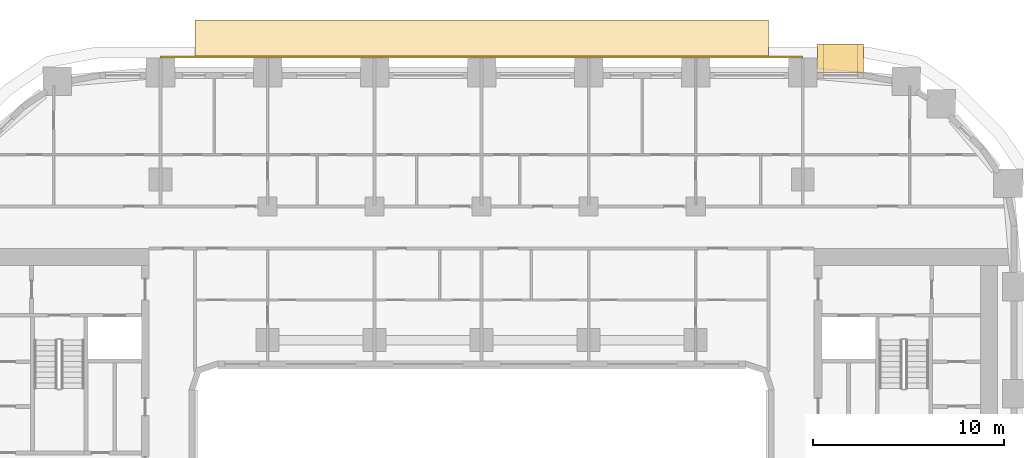
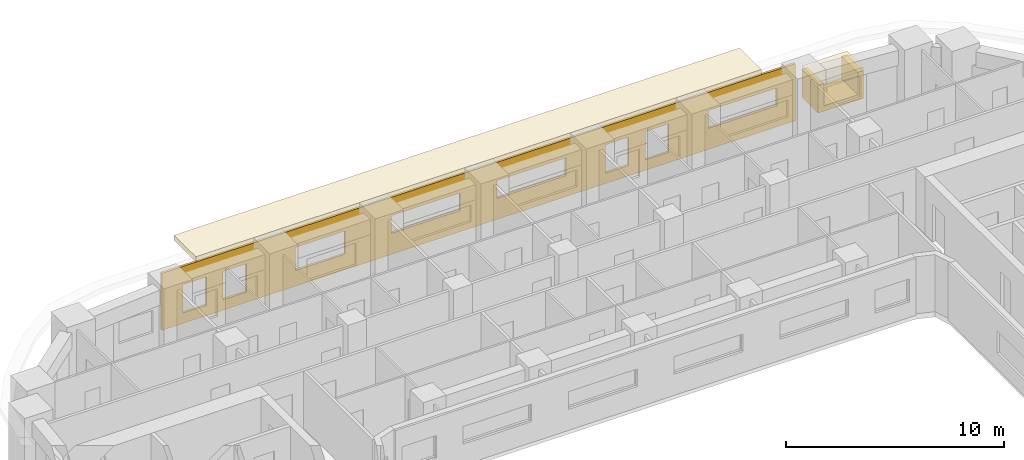
# One storey, part 20 of 21: 4 coverings.
"""IFC4 building model written with IfcOpenShell, lengths in metres."""

from ifc_helpers import new_model, si_unit, direction, frame, origin, origin_2d, place, context, subcontext, project, spatial, polyline, rectangle, outline, extrude, material, layer, layer_set, type_object, element, save


model = new_model("IFC4")

# Units and contexts
model_context = context("Model", 3, precision=1e-05, world=origin(), true_north=direction((0.0, 1.0)))
body_context = subcontext(model_context, "Body", "Model", "MODEL_VIEW")
ifc_project = project(units=[si_unit("LENGTHUNIT", "METRE"), si_unit("AREAUNIT", "SQUARE_METRE"), si_unit("VOLUMEUNIT", "CUBIC_METRE"), si_unit("PLANEANGLEUNIT", "RADIAN"), si_unit("MASSUNIT", "GRAM", prefix="KILO")], contexts=[model_context])

# Site, building, storey
site_placement = place(None, origin())
site = spatial("IfcSite", under=ifc_project, at=site_placement, CompositionType="ELEMENT")
building_placement = place(site_placement, origin())
building = spatial("IfcBuilding", under=site, at=building_placement, Name="Kiln Ring Residences", CompositionType="ELEMENT")
storey_placement = place(building_placement, frame((0.0, 0.0, 48.0)))
storey = spatial("IfcBuildingStorey", under=building, at=storey_placement, Name="L11", CompositionType="ELEMENT", Elevation=48.0)

# Coverings
ifc_material_1 = material(Name="Brick masonry, dark clay brick", Category="masonry")
ifc_layer_1 = layer(ifc_material_1, 0.300048828125)
ifc_layer_set_1 = layer_set([ifc_layer_1], Name="FRAME CHEEKS AND SILL 1500")
covering_type_1 = type_object("IfcCoveringType", Name="FRAME CHEEKS AND SILL 1500", PredefinedType="CLADDING", material=ifc_layer_set_1)
covering_1_placement = place(storey_placement, frame((19.97509765625, 23.14990234375, 0.60009765625), z_axis=(0.0, 0.0, 1.0), x_axis=(-1.0, 0.0, 0.0)))
element("IfcCovering", 1, at=covering_1_placement, inside=storey, type_object=covering_type_1, Name="FRAME L11", PredefinedType="CLADDING", context=body_context, shape_type="SweptSolid", body=[
    extrude(outline(polyline([(0.0, 0.0), (2.400146484375, 0.0), (2.39990234375, 1.5498046875), (2.10107421875, 1.5498046875), (2.10009765625, 0.2998046875), (0.300048828125, 0.2998046875), (0.299072265625, 1.5498046875), (0.0, 1.5498046875), (0.0, 0.0)])), frame((0.0, 0.75, 0.0), z_axis=(0.0, -1.0, 0.0), x_axis=(1.0, 0.0, 0.0)), (0.0, 0.0, 1.0), 1.5),
])
ifc_material_2 = material(Name="Brick masonry, dark clay brick", Category="masonry")
ifc_layer_2 = layer(ifc_material_2, 0.199951171875)
ifc_layer_set_2 = layer_set([ifc_layer_2], Name="FRAME HEAD 1500")
covering_type_2 = type_object("IfcCoveringType", Name="FRAME HEAD 1500", PredefinedType="CLADDING", material=ifc_layer_set_2)
covering_2_placement = place(storey_placement, frame((18.77490234375, 23.14990234375, 2.14990234375), z_axis=(0.0, 0.0, 1.0), x_axis=(-1.0, 0.0, 0.0)))
element("IfcCovering", 2, at=covering_2_placement, inside=storey, type_object=covering_type_2, Name="FRAME HEAD L11", PredefinedType="CLADDING", context=body_context, shape_type="SweptSolid", body=[
    extrude(rectangle(XDim=2.39990234375, YDim=1.5, at=origin_2d()), origin(), (0.0, 0.0, 1.0), 0.199951171875),
])
ifc_material_3 = material(Name="Brick masonry, dark clay brick", Category="masonry")
ifc_layer_3 = layer(ifc_material_3, 0.1201171875)
ifc_layer_set_3 = layer_set([ifc_layer_3], Name="RAINSCREEN PANEL 120")
covering_type_3 = type_object("IfcCoveringType", Name="RAINSCREEN PANEL 120", PredefinedType="CLADDING", material=ifc_layer_set_3)
covering_3_placement = place(storey_placement, frame((16.800048828125, 23.2099609375, 0.0), z_axis=(0.0, 0.0, 1.0), x_axis=(-1.0, 0.0, 0.0)))
element("IfcCovering", 3, at=covering_3_placement, inside=storey, type_object=covering_type_3, Name="RAINSCREEN L11", PredefinedType="CLADDING", context=body_context, shape_type="SweptSolid", body=[
    extrude(outline(polyline([(0.0, 0.0), (33.60009765625, 0.0), (33.60009765625, 3.199951171875), (0.0, 3.199951171875), (0.0, 0.0)]), holes=[polyline([(6.717529296875, 0.580078125), (7.95751953125, 0.580078125), (7.95751953125, 2.169921875), (6.717529296875, 2.169921875), (6.717529296875, 0.580078125)]), polyline([(8.842529296875, 0.580078125), (10.08251953125, 0.580078125), (10.08251953125, 2.169921875), (8.842529296875, 2.169921875), (8.842529296875, 0.580078125)]), polyline([(29.117431640625, 0.580078125), (30.357421875, 0.580078125), (30.357421875, 2.169921875), (29.117431640625, 2.169921875), (29.117431640625, 0.580078125)]), polyline([(31.242431640625, 0.580078125), (32.482421875, 0.580078125), (32.482421875, 2.169921875), (31.242431640625, 2.169921875), (31.242431640625, 0.580078125)]), polyline([(23.8798828125, 0.8798828125), (26.52001953125, 0.8798828125), (26.52001953125, 2.169921875), (23.8798828125, 2.169921875), (23.8798828125, 0.8798828125)]), polyline([(0.97998046875, 1.179931640625), (4.6201171875, 1.179931640625), (4.6201171875, 2.169921875), (0.97998046875, 2.169921875), (0.97998046875, 1.179931640625)]), polyline([(12.179931640625, 1.179931640625), (15.820068359375, 1.179931640625), (15.820068359375, 2.169921875), (12.179931640625, 2.169921875), (12.179931640625, 1.179931640625)]), polyline([(17.780029296875, 1.179931640625), (21.419921875, 1.179931640625), (21.419921875, 2.169921875), (17.780029296875, 2.169921875), (17.780029296875, 1.179931640625)])]), frame((0.0, 0.06005859375, 0.0), z_axis=(0.0, -1.0, 0.0), x_axis=(1.0, 0.0, 0.0)), (0.0, 0.0, 1.0), 0.1201171875),
])
ifc_material_4 = material(Name="Black powder-coated steel", Category="steel")
ifc_layer_4 = layer(ifc_material_4, 0.300048828125)
ifc_layer_set_4 = layer_set([ifc_layer_4], Name="SUNSHADE BAND 2000")
covering_type_4 = type_object("IfcCoveringType", Name="SUNSHADE BAND 2000", PredefinedType="CLADDING", material=ifc_layer_set_4)
covering_4_placement = place(storey_placement, frame((0.0, 0.0, 3.199951171875)))
element("IfcCovering", 4, at=covering_4_placement, inside=storey, type_object=covering_type_4, Name="SUNSHADE BAND L11", PredefinedType="CLADDING", context=body_context, shape_type="SweptSolid", body=[
    extrude(outline(polyline([(15.0, 25.14990234375), (-15.0, 25.14990234375), (-15.0, 23.14990234375), (15.0, 23.14990234375), (15.0, 25.14990234375)])), origin(), (0.0, 0.0, 1.0), 0.300048828125),
])

save(model, "model.ifc")
